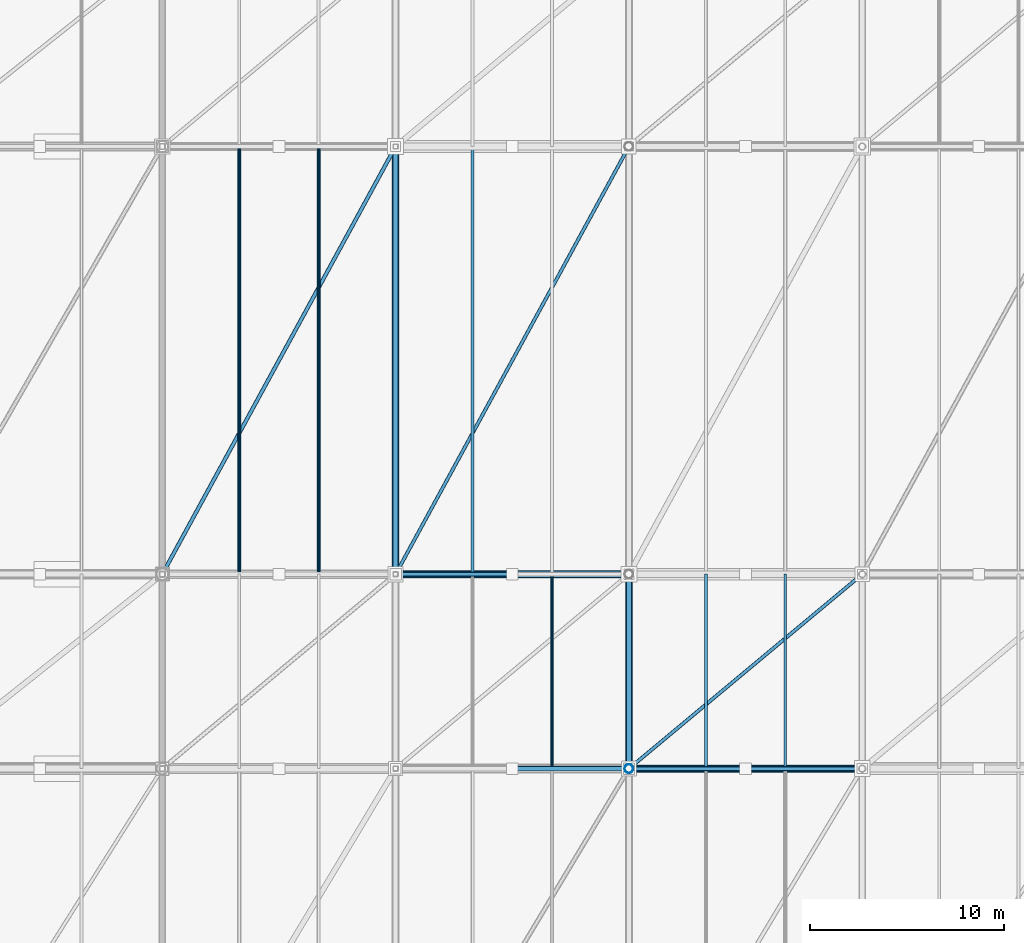
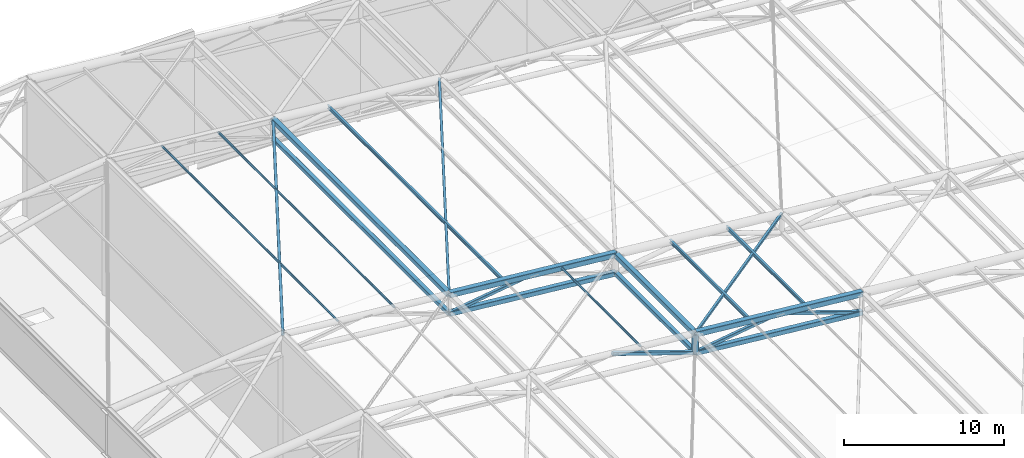
# One storey, part 27 of 44: 22 members.
"""IFC4 building model written with IfcOpenShell, lengths in metres."""

from ifc_helpers import new_model, si_unit, direction, frame, origin, origin_2d, place, context, subcontext, project, spatial, hollow_rectangle, hollow_circle, i_section, extrude, material, material_profile, profile_set, type_object, element, save


model = new_model("IFC4")

# Units and contexts
model_context = context("Model", 3, precision=1e-05, world=origin(), true_north=direction((0.0, 1.0)))
body_context = subcontext(model_context, "Body", "Model", "MODEL_VIEW")
ifc_project = project(units=[si_unit("LENGTHUNIT", "METRE"), si_unit("AREAUNIT", "SQUARE_METRE"), si_unit("VOLUMEUNIT", "CUBIC_METRE"), si_unit("PLANEANGLEUNIT", "RADIAN"), si_unit("MASSUNIT", "GRAM", prefix="KILO")], contexts=[model_context])

# Site, building, storey
site_placement = place(None, origin())
site = spatial("IfcSite", under=ifc_project, at=site_placement, CompositionType="ELEMENT")
building_placement = place(site_placement, origin())
building = spatial("IfcBuilding", under=site, at=building_placement, Name="Brinegate Civic Arena", CompositionType="ELEMENT")
storey_placement = place(building_placement, frame((0.0, 0.0, 29.39990234375)))
storey = spatial("IfcBuildingStorey", under=building, at=storey_placement, Name="RF", CompositionType="ELEMENT", Elevation=29.39990234375)

# Members
ifc_material = material(Name="Steel S355", Category="steel")
ifc_material_profile_1 = material_profile(ifc_material, hollow_circle(Radius=0.083984375, WallThickness=0.008056640625, at=origin_2d()), Name="CHS168X8")
ifc_profile_set_1 = profile_set([ifc_material_profile_1], Name="Steel S355")
member_type_1 = type_object("IfcMemberType", Name="RF-PURLIN-CHS168", PredefinedType="PURLIN", material=ifc_profile_set_1)
member_1_placement = place(storey_placement, frame((80.0400390625, 72.0, 8.7021484375), z_axis=(0.0, 1.0, 0.0), x_axis=(-1.0, 0.0, 0.0)))
element("IfcMember", 1, at=member_1_placement, inside=storey, type_object=member_type_1, Name="Roof Purlin RFP-078", PredefinedType="PURLIN", context=body_context, shape_type="SweptSolid", body=[
    extrude(hollow_circle(Radius=0.083984375, WallThickness=0.008056640625, at=origin_2d()), origin(), (0.0, 0.0, 1.0), 10.0),
])
for number, where, z_axis, x_axis, name in (
    (2, (63.9599609375, 82.0, 10.210205078125), (0.0, 1.0, 0.0), (-1.0, 0.0, 0.0), "Roof Purlin RFP-093"),
    (3, (68.0400390625, 82.0, 9.8271484375), (0.0, 1.0, 0.0), (-1.0, 0.0, 0.0), "Roof Purlin RFP-094"),
):
    element("IfcMember", number, at=place(storey_placement, frame(where, z_axis=z_axis, x_axis=x_axis)), inside=storey, type_object=member_type_1, Name=name, PredefinedType="PURLIN", context=body_context, shape_type="SweptSolid", body=[
        extrude(hollow_circle(Radius=0.083984375, WallThickness=0.008056640625, at=origin_2d()), origin(), (0.0, 0.0, 1.0), 22.0),
    ])
ifc_material_profile_2 = material_profile(ifc_material, i_section(OverallWidth=0.14794921875, OverallDepth=0.26611328125, WebThickness=0.008056640625, FlangeThickness=0.012939453125, FilletRadius=0.011962890625, at=origin_2d()), Name="W250X45")
ifc_profile_set_2 = profile_set([ifc_material_profile_2], Name="Steel S355")
member_type_2 = type_object("IfcMemberType", Name="RF-PURLIN-W250", PredefinedType="PURLIN", material=ifc_profile_set_2)
for number, where, z_axis, x_axis, name in (
    (4, (87.9599609375, 72.0, 7.9111328125), (0.0, 1.0, 0.0), (-1.0, 0.0, 0.0), "Roof Purlin RFP-079"),
    (5, (92.0400390625, 72.0, 7.528076171875), (0.0, 1.0, 0.0), (-1.0, 0.0, 0.0), "Roof Purlin RFP-080"),
):
    element("IfcMember", number, at=place(storey_placement, frame(where, z_axis=z_axis, x_axis=x_axis)), inside=storey, type_object=member_type_2, Name=name, PredefinedType="PURLIN", context=body_context, shape_type="SweptSolid", body=[
        extrude(i_section(OverallWidth=0.14794921875, OverallDepth=0.26611328125, WebThickness=0.008056640625, FlangeThickness=0.012939453125, FilletRadius=0.011962890625, at=origin_2d()), origin(), (0.0, 0.0, 1.0), 10.0),
    ])
member_2_placement = place(storey_placement, frame((75.9599609375, 82.0, 9.0361328125), z_axis=(0.0, 1.0, 0.0), x_axis=(-1.0, 0.0, 0.0)))
element("IfcMember", 6, at=member_2_placement, inside=storey, type_object=member_type_2, Name="Roof Purlin RFP-095", PredefinedType="PURLIN", context=body_context, shape_type="SweptSolid", body=[
    extrude(i_section(OverallWidth=0.14794921875, OverallDepth=0.26611328125, WebThickness=0.008056640625, FlangeThickness=0.012939453125, FilletRadius=0.011962890625, at=origin_2d()), origin(), (0.0, 0.0, 1.0), 22.0),
])
ifc_material_profile_3 = material_profile(ifc_material, hollow_rectangle(XDim=0.179931640625, YDim=0.179931640625, WallThickness=0.010009765625, InnerFilletRadius=0.010009765625, OuterFilletRadius=0.02001953125, at=origin_2d()), Name="SHS180X10")
ifc_profile_set_3 = profile_set([ifc_material_profile_3], Name="Steel S355")
member_type_3 = type_object("IfcMemberType", Name="SF-BRACE-SHS180", PredefinedType="BRACE", material=ifc_profile_set_3)
member_3_placement = place(storey_placement, frame((84.0, 72.0, 8.300048828125), z_axis=(0.766236619907, 0.638530516589, -0.071834683116), x_axis=(-0.640184399664, 0.768221279597, 0.0)))
element("IfcMember", 7, at=member_3_placement, inside=storey, type_object=member_type_3, Name="Roof Plan Diagonal Brace PL-5-4", PredefinedType="BRACE", context=body_context, shape_type="SweptSolid", body=[
    extrude(hollow_rectangle(XDim=0.179931640625, YDim=0.179931640625, WallThickness=0.010009765625, InnerFilletRadius=0.010009765625, OuterFilletRadius=0.02001953125, at=origin_2d()), origin(), (0.0, 0.0, 1.0), 15.660888671875),
])
member_4_placement = place(storey_placement, frame((72.0, 82.0, 9.425048828125), z_axis=(0.478370337109, 0.877012284699, -0.044847219104), x_axis=(-0.877895572914, 0.478852130681, 0.0)))
element("IfcMember", 8, at=member_4_placement, inside=storey, type_object=member_type_3, Name="Roof Plan Diagonal Brace PL-6-3", PredefinedType="BRACE", context=body_context, shape_type="SweptSolid", body=[
    extrude(hollow_rectangle(XDim=0.179931640625, YDim=0.179931640625, WallThickness=0.010009765625, InnerFilletRadius=0.010009765625, OuterFilletRadius=0.02001953125, at=origin_2d()), origin(), (0.0, 0.0, 1.0), 25.085205078125),
])
ifc_material_profile_4 = material_profile(ifc_material, hollow_rectangle(XDim=0.199951171875, YDim=0.199951171875, WallThickness=0.010009765625, InnerFilletRadius=0.010009765625, OuterFilletRadius=0.02001953125, at=origin_2d()), Name="SHS200X10")
ifc_profile_set_4 = profile_set([ifc_material_profile_4], Name="Steel S355")
member_type_4 = type_object("IfcMemberType", Name="SF-BRACE-SHS200", PredefinedType="BRACE", material=ifc_profile_set_4)
member_5_placement = place(storey_placement, frame((60.0, 82.0, 10.550048828125), z_axis=(0.478370337109, 0.877012284699, -0.044847219104), x_axis=(-0.877895572914, 0.478852130681, 0.0)))
element("IfcMember", 9, at=member_5_placement, inside=storey, type_object=member_type_4, Name="Roof Plan Diagonal Brace PL-6-2", PredefinedType="BRACE", context=body_context, shape_type="SweptSolid", body=[
    extrude(hollow_rectangle(XDim=0.199951171875, YDim=0.199951171875, WallThickness=0.010009765625, InnerFilletRadius=0.010009765625, OuterFilletRadius=0.02001953125, at=origin_2d()), origin(), (0.0, 0.0, 1.0), 25.085205078125),
])
ifc_material_profile_5 = material_profile(ifc_material, hollow_rectangle(XDim=0.219970703125, YDim=0.219970703125, WallThickness=0.011962890625, InnerFilletRadius=0.011962890625, OuterFilletRadius=0.02392578125, at=origin_2d()), Name="SHS220X12")
ifc_profile_set_5 = profile_set([ifc_material_profile_5], Name="Steel S355")
member_type_5 = type_object("IfcMemberType", Name="SF-BRACE-SHS220", PredefinedType="BRACE", material=ifc_profile_set_5)
member_6_placement = place(storey_placement, frame((84.0, 72.0, 6.85009765625), z_axis=(0.989226142737, 0.0, 0.1463954867), x_axis=(0.0, 1.0, 0.0)))
element("IfcMember", 10, at=member_6_placement, inside=storey, type_object=member_type_5, Name="Space Frame Web Brace D1-5-4", PredefinedType="BRACE", context=body_context, shape_type="SweptSolid", body=[
    extrude(hollow_rectangle(XDim=0.219970703125, YDim=0.219970703125, WallThickness=0.011962890625, InnerFilletRadius=0.011962890625, OuterFilletRadius=0.02392578125, at=origin_2d()), origin(), (0.0, 0.0, 1.0), 6.0654296875),
])
member_7_placement = place(storey_placement, frame((90.0, 72.0, 7.738037109375), z_axis=(0.948068139281, 0.0, -0.318067293635), x_axis=(0.0, 1.0, 0.0)))
element("IfcMember", 11, at=member_7_placement, inside=storey, type_object=member_type_5, Name="Space Frame Web Brace D2-5-4", PredefinedType="BRACE", context=body_context, shape_type="SweptSolid", body=[
    extrude(hollow_rectangle(XDim=0.219970703125, YDim=0.219970703125, WallThickness=0.011962890625, InnerFilletRadius=0.011962890625, OuterFilletRadius=0.02392578125, at=origin_2d()), origin(), (0.0, 0.0, 1.0), 6.32861328125),
])
member_8_placement = place(storey_placement, frame((72.0, 82.0, 7.97509765625), z_axis=(0.989226142737, 0.0, 0.1463954867), x_axis=(0.0, 1.0, 0.0)))
element("IfcMember", 12, at=member_8_placement, inside=storey, type_object=member_type_5, Name="Space Frame Web Brace D1-6-3", PredefinedType="BRACE", context=body_context, shape_type="SweptSolid", body=[
    extrude(hollow_rectangle(XDim=0.219970703125, YDim=0.219970703125, WallThickness=0.011962890625, InnerFilletRadius=0.011962890625, OuterFilletRadius=0.02392578125, at=origin_2d()), origin(), (0.0, 0.0, 1.0), 6.0654296875),
])
ifc_material_profile_6 = material_profile(ifc_material, hollow_rectangle(XDim=0.25, YDim=0.25, WallThickness=0.011962890625, InnerFilletRadius=0.011962890625, OuterFilletRadius=0.02392578125, at=origin_2d()), Name="SHS250X12")
ifc_profile_set_6 = profile_set([ifc_material_profile_6], Name="Steel S355")
member_type_6 = type_object("IfcMemberType", Name="SF-BRACE-SHS250", PredefinedType="BRACE", material=ifc_profile_set_6)
member_9_placement = place(storey_placement, frame((78.0, 72.0, 8.863037109375), z_axis=(0.948068139281, 0.0, -0.318067293635), x_axis=(0.0, 1.0, 0.0)))
element("IfcMember", 13, at=member_9_placement, inside=storey, type_object=member_type_6, Name="Space Frame Web Brace D2-5-3", PredefinedType="BRACE", context=body_context, shape_type="SweptSolid", body=[
    extrude(hollow_rectangle(XDim=0.25, YDim=0.25, WallThickness=0.011962890625, InnerFilletRadius=0.011962890625, OuterFilletRadius=0.02392578125, at=origin_2d()), origin(), (0.0, 0.0, 1.0), 6.32861328125),
])
ifc_material_profile_7 = material_profile(ifc_material, hollow_rectangle(XDim=0.300048828125, YDim=0.300048828125, WallThickness=0.01611328125, InnerFilletRadius=0.01611328125, OuterFilletRadius=0.031982421875, at=origin_2d()), Name="SHS300X16")
ifc_profile_set_7 = profile_set([ifc_material_profile_7], Name="Steel S355")
member_type_7 = type_object("IfcMemberType", Name="SF-CHORD-SHS300", PredefinedType="CHORD", material=ifc_profile_set_7)
member_10_placement = place(storey_placement, frame((84.0, 72.0, 6.85009765625), z_axis=(0.0, 1.0, 0.0), x_axis=(-1.0, 0.0, 0.0)))
element("IfcMember", 14, at=member_10_placement, inside=storey, type_object=member_type_7, Name="Space Frame Cross Bottom Chord BY-5-4", PredefinedType="CHORD", context=body_context, shape_type="SweptSolid", body=[
    extrude(hollow_rectangle(XDim=0.300048828125, YDim=0.300048828125, WallThickness=0.01611328125, InnerFilletRadius=0.01611328125, OuterFilletRadius=0.031982421875, at=origin_2d()), origin(), (0.0, 0.0, 1.0), 10.0),
])
member_11_placement = place(storey_placement, frame((72.0, 82.0, 7.97509765625), z_axis=(0.0, 1.0, 0.0), x_axis=(-1.0, 0.0, 0.0)))
element("IfcMember", 15, at=member_11_placement, inside=storey, type_object=member_type_7, Name="Space Frame Cross Bottom Chord BY-6-3", PredefinedType="CHORD", context=body_context, shape_type="SweptSolid", body=[
    extrude(hollow_rectangle(XDim=0.300048828125, YDim=0.300048828125, WallThickness=0.01611328125, InnerFilletRadius=0.01611328125, OuterFilletRadius=0.031982421875, at=origin_2d()), origin(), (0.0, 0.0, 1.0), 22.0),
])
ifc_material_profile_8 = material_profile(ifc_material, hollow_rectangle(XDim=0.35009765625, YDim=0.35009765625, WallThickness=0.01611328125, InnerFilletRadius=0.01611328125, OuterFilletRadius=0.031982421875, at=origin_2d()), Name="SHS350X16")
ifc_profile_set_8 = profile_set([ifc_material_profile_8], Name="Steel S355")
member_type_8 = type_object("IfcMemberType", Name="SF-CHORD-SHS350", PredefinedType="CHORD", material=ifc_profile_set_8)
for number, where, z_axis, x_axis, name in (
    (16, (84.0, 72.0, 6.85009765625), (0.995634226059, 0.0, -0.093340708693), (0.0, 1.0, 0.0), "Space Frame Bottom Chord BX-5-4"),
    (17, (72.0, 82.0, 7.97509765625), (0.995634226059, 0.0, -0.093340708693), (0.0, 1.0, 0.0), "Space Frame Bottom Chord BX-6-3"),
):
    element("IfcMember", number, at=place(storey_placement, frame(where, z_axis=z_axis, x_axis=x_axis)), inside=storey, type_object=member_type_8, Name=name, PredefinedType="CHORD", context=body_context, shape_type="SweptSolid", body=[
        extrude(hollow_rectangle(XDim=0.35009765625, YDim=0.35009765625, WallThickness=0.01611328125, InnerFilletRadius=0.01611328125, OuterFilletRadius=0.031982421875, at=origin_2d()), origin(), (0.0, 0.0, 1.0), 12.052734375),
    ])
member_12_placement = place(storey_placement, frame((84.0, 72.0, 8.300048828125), z_axis=(0.0, 1.0, 0.0), x_axis=(-1.0, 0.0, 0.0)))
element("IfcMember", 18, at=member_12_placement, inside=storey, type_object=member_type_8, Name="Space Frame Cross Top Chord TY-5-4", PredefinedType="CHORD", context=body_context, shape_type="SweptSolid", body=[
    extrude(hollow_rectangle(XDim=0.35009765625, YDim=0.35009765625, WallThickness=0.01611328125, InnerFilletRadius=0.01611328125, OuterFilletRadius=0.031982421875, at=origin_2d()), origin(), (0.0, 0.0, 1.0), 10.0),
])
member_13_placement = place(storey_placement, frame((72.0, 82.0, 9.425048828125), z_axis=(0.0, 1.0, 0.0), x_axis=(-1.0, 0.0, 0.0)))
element("IfcMember", 19, at=member_13_placement, inside=storey, type_object=member_type_8, Name="Space Frame Cross Top Chord TY-6-3", PredefinedType="CHORD", context=body_context, shape_type="SweptSolid", body=[
    extrude(hollow_rectangle(XDim=0.35009765625, YDim=0.35009765625, WallThickness=0.01611328125, InnerFilletRadius=0.01611328125, OuterFilletRadius=0.031982421875, at=origin_2d()), origin(), (0.0, 0.0, 1.0), 22.0),
])
ifc_material_profile_9 = material_profile(ifc_material, hollow_rectangle(XDim=0.39990234375, YDim=0.39990234375, WallThickness=0.02001953125, InnerFilletRadius=0.02001953125, OuterFilletRadius=0.0400390625, at=origin_2d()), Name="SHS400X20")
ifc_profile_set_9 = profile_set([ifc_material_profile_9], Name="Steel S355")
member_type_9 = type_object("IfcMemberType", Name="SF-CHORD-SHS400", PredefinedType="CHORD", material=ifc_profile_set_9)
for number, where, z_axis, x_axis, name in (
    (20, (84.0, 72.0, 8.300048828125), (0.995634226059, 0.0, -0.093340708693), (0.0, 1.0, 0.0), "Space Frame Top Chord TX-5-4"),
    (21, (72.0, 82.0, 9.425048828125), (0.995634226059, 0.0, -0.093340708693), (0.0, 1.0, 0.0), "Space Frame Top Chord TX-6-3"),
):
    element("IfcMember", number, at=place(storey_placement, frame(where, z_axis=z_axis, x_axis=x_axis)), inside=storey, type_object=member_type_9, Name=name, PredefinedType="CHORD", context=body_context, shape_type="SweptSolid", body=[
        extrude(hollow_rectangle(XDim=0.39990234375, YDim=0.39990234375, WallThickness=0.02001953125, InnerFilletRadius=0.02001953125, OuterFilletRadius=0.0400390625, at=origin_2d()), origin(), (0.0, 0.0, 1.0), 12.052734375),
    ])
ifc_material_profile_10 = material_profile(ifc_material, hollow_circle(Radius=0.228515625, WallThickness=0.01611328125, at=origin_2d()), Name="CHS457X16")
ifc_profile_set_10 = profile_set([ifc_material_profile_10], Name="Steel S355")
member_type_10 = type_object("IfcMemberType", Name="SF-STRUT-CHS457", PredefinedType="STRUT", material=ifc_profile_set_10)
member_14_placement = place(storey_placement, frame((84.0, 72.0, 6.85009765625), z_axis=(0.0, 0.0, 1.0), x_axis=(1.0, 0.0, 0.0)))
element("IfcMember", 22, at=member_14_placement, inside=storey, type_object=member_type_10, Name="Space Frame Vertical Post V-5-4", PredefinedType="STRUT", context=body_context, shape_type="SweptSolid", body=[
    extrude(hollow_circle(Radius=0.228515625, WallThickness=0.01611328125, at=origin_2d()), origin(), (0.0, 0.0, 1.0), 1.449951171875),
])

save(model, "model.ifc")
